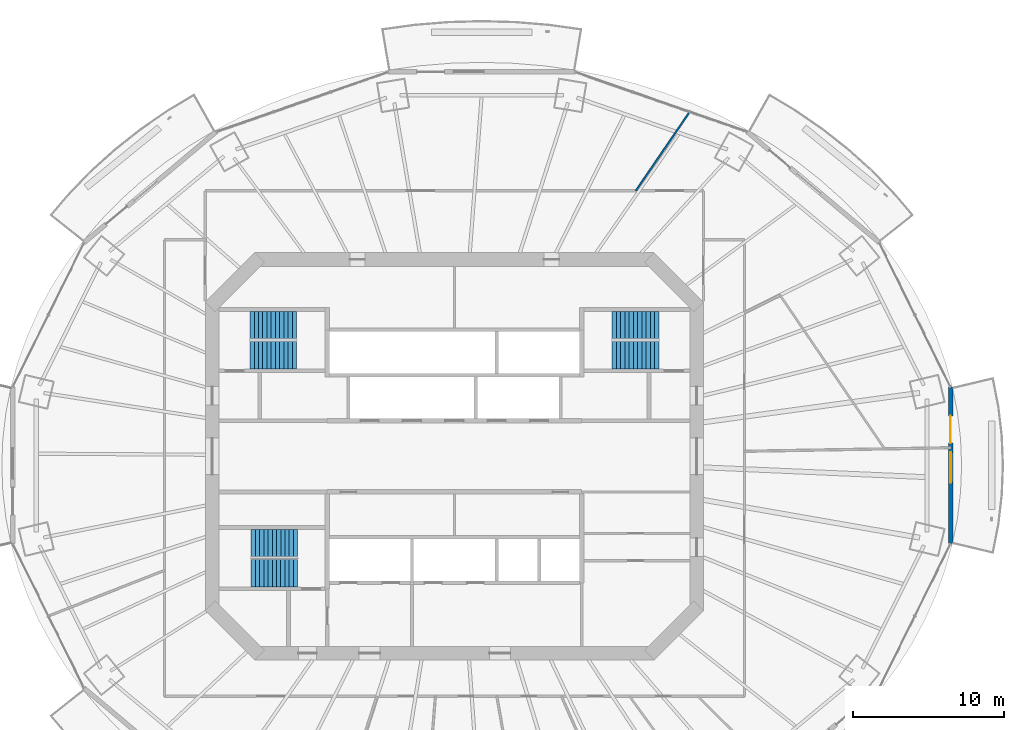
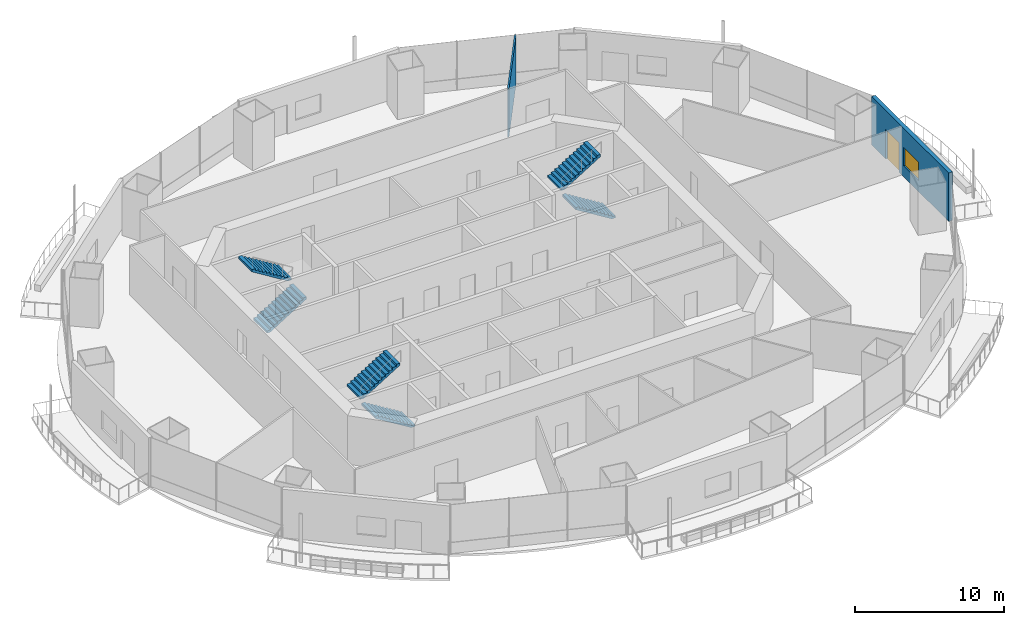
# One storey, part 15 of 21: 6 stair flights, 2 walls, 1 door, 1 window, 2 openings, 3 elements without a shape of their own.
"""IFC4 building model written with IfcOpenShell, lengths in metres."""

import ifcopenshell
import ifcopenshell.guid

model = None  # the IFC model being written
_history = None  # IfcOwnerHistory: only IFC2X3 demands one
_inside = {}  # id of a spatial element -> (the spatial element, [elements in it])
_under = {}  # id of a project, library or spatial element -> (it, [spatial elements below it])
_declared = {}  # id of a project -> (the project, [libraries it declares])
_typed = {}  # id of a type object -> (the type object, [elements of that type])
_made_of = {}  # id of a material, layer set ... -> (it, [elements and type objects made of it])


def new_model(schema):
    """Start an empty IFC model of exactly this schema.

    Asked for "IFC4X3", IfcOpenShell would pick the latest addendum, in which some entities
    have other attributes; the version numbers below select the first issue.
    IFC2X3 requires an IfcOwnerHistory on every rooted entity: one is made here for all.
    """
    global model, _history
    if schema == "IFC4X3":
        model = ifcopenshell.file(schema_version=(4, 3, 0, 0))
    else:
        model = ifcopenshell.file(schema=schema)
    _inside.clear()
    _under.clear()
    _declared.clear()
    _typed.clear()
    _made_of.clear()
    _history = None
    if model.schema == "IFC2X3":
        org = make("IfcOrganization", Name="unknown")
        user = make(
            "IfcPersonAndOrganization",
            ThePerson=make("IfcPerson", FamilyName="unknown"),
            TheOrganization=org,
        )
        app = make(
            "IfcApplication",
            ApplicationDeveloper=org,
            Version="unknown",
            ApplicationFullName="unknown",
            ApplicationIdentifier="unknown",
        )
        _history = make(
            "IfcOwnerHistory",
            OwningUser=user,
            OwningApplication=app,
            ChangeAction="ADDED",
            CreationDate=0,
        )
    return model


def make(cls, **values):
    """One entity of the class cls with the attributes given. An attribute that is None is left unset."""
    return model.create_entity(
        cls, **{name: value for name, value in values.items() if value is not None}
    )


def rooted(cls, **values):
    """An entity with a GlobalId (a new one), such as an element, a storey or a relation."""
    return make(cls, GlobalId=ifcopenshell.guid.new(), OwnerHistory=_history, **values)


def si_unit(unit_type, name, prefix=None):
    """IfcSIUnit, for example si_unit("LENGTHUNIT", "METRE", prefix="MILLI")."""
    return make("IfcSIUnit", UnitType=unit_type, Prefix=prefix, Name=name)


def assignment(units):
    """IfcUnitAssignment: the units of a project."""
    return None if units is None else make("IfcUnitAssignment", Units=units)


def point(xyz):
    """IfcCartesianPoint."""
    return None if xyz is None else make("IfcCartesianPoint", Coordinates=xyz)


def direction(xyz):
    """IfcDirection."""
    return None if xyz is None else make("IfcDirection", DirectionRatios=xyz)


def frame(location, z_axis=None, x_axis=None):
    """IfcAxis2Placement3D, a coordinate frame: its origin and axes. An axis left out is left unset."""
    return make(
        "IfcAxis2Placement3D",
        Location=point(location),
        Axis=direction(z_axis),
        RefDirection=direction(x_axis),
    )


def frame_2d(location, x_axis=None):
    """IfcAxis2Placement2D, a coordinate frame in the plane: its origin and x axis."""
    return make(
        "IfcAxis2Placement2D", Location=point(location), RefDirection=direction(x_axis)
    )


def origin():
    """The frame at (0, 0, 0) with its axes left unset."""
    return frame((0.0, 0.0, 0.0))


def place(relative_to, where):
    """IfcLocalPlacement: puts the frame where relative to a parent placement (None: the world)."""
    return make(
        "IfcLocalPlacement", PlacementRelTo=relative_to, RelativePlacement=where
    )


def context(
    kind, dimensions, precision=None, world=None, true_north=None, identifier=None
):
    """IfcGeometricRepresentationContext, for example the 3D "Model" context."""
    return make(
        "IfcGeometricRepresentationContext",
        ContextIdentifier=identifier,
        ContextType=kind,
        CoordinateSpaceDimension=dimensions,
        Precision=precision,
        WorldCoordinateSystem=world,
        TrueNorth=true_north,
    )


def subcontext(parent, identifier, kind, view, scale=None):
    """IfcGeometricRepresentationSubContext, for example "Body" below "Model"."""
    return make(
        "IfcGeometricRepresentationSubContext",
        ContextIdentifier=identifier,
        ContextType=kind,
        ParentContext=parent,
        TargetScale=scale,
        TargetView=view,
    )


def project(units=None, contexts=None):
    """IfcProject with its units and contexts."""
    return rooted(
        "IfcProject",
        Name="project",
        RepresentationContexts=contexts,
        UnitsInContext=assignment(units),
    )


def spatial(cls, under=None, at=None, **own):
    """A site, building, storey or space (cls), placed at a placement, below another one or the project."""
    s = rooted(cls, ObjectPlacement=at, **own)
    if under is not None:
        _under.setdefault(under.id(), (under, []))[1].append(s)
    return s


def polyline(points):
    """IfcPolyline through the points."""
    return make("IfcPolyline", Points=[point(p) for p in points])


def profile(cls, at=None, kind="AREA", **sizes):
    """A parametric profile (cls). Its sizes go by their IFC names, for example OverallWidth=200.0."""
    return make(cls, ProfileType=kind, Position=at, **sizes)


def rectangle(**sizes):
    """IfcRectangleProfileDef."""
    return profile("IfcRectangleProfileDef", **sizes)


def outline(outer, holes=None, kind="AREA"):
    """IfcArbitraryClosedProfileDef: a profile drawn as a closed curve; with holes, ...WithVoids."""
    if holes is None:
        return make("IfcArbitraryClosedProfileDef", ProfileType=kind, OuterCurve=outer)
    return make(
        "IfcArbitraryProfileDefWithVoids",
        ProfileType=kind,
        OuterCurve=outer,
        InnerCurves=holes,
    )


def extrude(swept, where, along, depth):
    """IfcExtrudedAreaSolid: the profile swept, set in the frame where, extruded along a direction by depth."""
    return make(
        "IfcExtrudedAreaSolid",
        SweptArea=swept,
        Position=where,
        ExtrudedDirection=direction(along),
        Depth=depth,
    )


def shape(context_of_items, identifier, shape_type, items):
    """IfcShapeRepresentation: the items that make up one representation, for example the "Body"."""
    return make(
        "IfcShapeRepresentation",
        ContextOfItems=context_of_items,
        RepresentationIdentifier=identifier,
        RepresentationType=shape_type,
        Items=items,
    )


def material(Name=None, Category=None):
    """IfcMaterial."""
    return make("IfcMaterial", Name=Name, Category=Category)


def layer(
    of_material, thickness, ventilated=None, Name=None, Category=None, Priority=None
):
    """IfcMaterialLayer: one layer of a wall or slab, of a material (None: an air gap)."""
    return make(
        "IfcMaterialLayer",
        Material=of_material,
        LayerThickness=thickness,
        IsVentilated=ventilated,
        Name=Name,
        Category=Category,
        Priority=Priority,
    )


def layer_set(layers, Name=None):
    """IfcMaterialLayerSet."""
    return make("IfcMaterialLayerSet", MaterialLayers=layers, LayerSetName=Name)


def made_of(thing, what):
    """Note that an element or type object is made of a material, layer set ...; save() writes the relation."""
    if what is not None:
        _made_of.setdefault(what.id(), (what, []))[1].append(thing)
    return thing


def type_object(cls, material=None, **own):
    """A type object (cls), such as IfcWallType, which elements share."""
    return made_of(rooted(cls, **own), material)


def element(
    cls,
    number,
    at=None,
    inside=None,
    cuts=None,
    type_object=None,
    material=None,
    context=None,
    identifier="Body",
    shape_type=None,
    held_by="IfcProductDefinitionShape",
    body=None,
    shapes=None,
    **own,
):
    """One element of the class cls, such as IfcWall. Its Tag is "e" and its number.

    at: its placement. inside: the storey or other place that contains it. cuts: it is an
    opening in that element (IfcRelVoidsElement). A single representation is given by context,
    identifier, shape_type and body (its items); several are given by shapes. held_by: the class
    of the entity that holds the representations. save() writes the other relations.
    """
    e = rooted(cls, Tag="e%d" % number, ObjectPlacement=at, **own)
    if body is not None:
        shapes = [shape(context, identifier, shape_type, body)]
    if shapes is not None:
        e.Representation = make(held_by, Representations=shapes)
    if inside is not None:
        _inside.setdefault(inside.id(), (inside, []))[1].append(e)
    if cuts is not None:
        rooted(
            "IfcRelVoidsElement", RelatingBuildingElement=cuts, RelatedOpeningElement=e
        )
    if type_object is not None:
        _typed.setdefault(type_object.id(), (type_object, []))[1].append(e)
    return made_of(e, material)


def fill(opening, filler):
    """IfcRelFillsElement: the door or window that sits in an opening."""
    return rooted(
        "IfcRelFillsElement",
        RelatingOpeningElement=opening,
        RelatedBuildingElement=filler,
    )


def aggregate(whole, parts):
    """IfcRelAggregates: a whole, such as a stair, and the parts it consists of."""
    return rooted("IfcRelAggregates", RelatingObject=whole, RelatedObjects=parts)


def save(model, path):
    """Write the relations noted so far, then the file.

    IfcRelAggregates (storeys below a building ...), IfcRelContainedInSpatialStructure (elements
    in a storey), IfcRelDefinesByType, IfcRelAssociatesMaterial and IfcRelDeclares: one each for
    every whole, place, type object, material and project.
    """
    for whole, parts in _under.values():
        aggregate(whole, parts)
    for where, things in _inside.values():
        rooted(
            "IfcRelContainedInSpatialStructure",
            RelatedElements=things,
            RelatingStructure=where,
        )
    for kind, things in _typed.values():
        rooted("IfcRelDefinesByType", RelatedObjects=things, RelatingType=kind)
    for what, things in _made_of.values():
        rooted("IfcRelAssociatesMaterial", RelatedObjects=things, RelatingMaterial=what)
    for by, libraries in _declared.values():
        rooted("IfcRelDeclares", RelatingContext=by, RelatedDefinitions=libraries)
    model.write(path)


model = new_model("IFC4")

# Units and contexts
model_context = context("Model", 3, precision=1e-05, world=origin(), true_north=direction((0.0, 1.0)))
body_context = subcontext(model_context, "Body", "Model", "MODEL_VIEW")
ifc_project = project(units=[si_unit("LENGTHUNIT", "METRE"), si_unit("AREAUNIT", "SQUARE_METRE"), si_unit("VOLUMEUNIT", "CUBIC_METRE"), si_unit("PLANEANGLEUNIT", "RADIAN"), si_unit("MASSUNIT", "GRAM", prefix="KILO")], contexts=[model_context])

# Site, building, storey
site_placement = place(None, origin())
site = spatial("IfcSite", under=ifc_project, at=site_placement, CompositionType="ELEMENT")
building_placement = place(site_placement, origin())
building = spatial("IfcBuilding", under=site, at=building_placement, Name="Marenthal Gate Tower", CompositionType="ELEMENT")
storey_placement = place(building_placement, frame((0.0, 0.0, 202.550048828125)))
storey = spatial("IfcBuildingStorey", under=building, at=storey_placement, Name="L44", CompositionType="ELEMENT", Elevation=202.550048828125)

# Wall
ifc_material_1 = material(Name="Gypsum board on steel studs", Category="steel")
ifc_layer_1 = layer(ifc_material_1, 0.1201171875)
ifc_layer_set_1 = layer_set([ifc_layer_1], Name="Partition 120")
wall_type_1 = type_object("IfcWallType", Name="Partition 120", PredefinedType="PARTITIONING", material=ifc_layer_set_1)
wall_1_placement = place(storey_placement, frame((11.974365234375, 17.534423828125, 0.0), z_axis=(0.0, 0.0, 1.0), x_axis=(0.563957789677, 0.825803615554, 0.0)))
element("IfcWall", 1, at=wall_1_placement, inside=storey, type_object=wall_type_1, Name="Partition wall 59", PredefinedType="PARTITIONING", context=body_context, shape_type="SweptSolid", body=[
    extrude(rectangle(XDim=6.31787109375, YDim=0.1201171875, at=frame_2d((3.158935546875, 0.0))), origin(), (0.0, 0.0, 1.0), 3.969970703125),
])

# Wall, openings, door, window
ifc_material_2 = material(Name="Terracotta cladding on insulated concrete-block backing", Category="masonry")
ifc_layer_2 = layer(ifc_material_2, 0.300048828125)
ifc_layer_set_2 = layer_set([ifc_layer_2], Name="Terracotta facade wall 300")
wall_type_2 = type_object("IfcWallType", Name="Terracotta facade wall 300", PredefinedType="SOLIDWALL", material=ifc_layer_set_2)
wall_2_placement = place(storey_placement, frame((32.765380859375, -5.768798828125, 0.0), z_axis=(0.0, 0.0, 1.0), x_axis=(0.0, 1.0, 0.0)))
wall_2 = element("IfcWall", 2, at=wall_2_placement, inside=storey, type_object=wall_type_2, Name="Terracotta facade wall L44 bay 16", PredefinedType="SOLIDWALL", context=body_context, shape_type="SweptSolid", body=[
    extrude(rectangle(XDim=10.337646484375, YDim=0.300048828125, at=frame_2d((5.1689453125, 0.0))), origin(), (0.0, 0.0, 1.0), 3.969970703125),
])
opening_1_placement = place(wall_2_placement, frame((6.6376953125, 0.0, 0.0)))
opening_1 = element("IfcOpeningElement", 3, at=opening_1_placement, cuts=wall_2, Name="Opening BD-L44-16", PredefinedType="OPENING", context=body_context, shape_type="SweptSolid", body=[
    extrude(rectangle(XDim=1.800048828125, YDim=2.39990234375, at=frame_2d((0.89990234375, 1.199951171875))), frame((0.0, 0.16015625, 0.0), z_axis=(0.0, -1.0, 0.0), x_axis=(1.0, 0.0, 0.0)), (0.0, 0.0, 1.0), 0.320068359375),
])
opening_2_placement = place(wall_2_placement, frame((4.037841796875, 0.0, 0.89990234375)))
opening_2 = element("IfcOpeningElement", 4, at=opening_2_placement, cuts=wall_2, Name="Opening WN2-L44-16", PredefinedType="OPENING", context=body_context, shape_type="SweptSolid", body=[
    extrude(rectangle(XDim=2.0, YDim=1.5, at=frame_2d((1.0, 0.75))), frame((0.0, 0.16015625, 0.0), z_axis=(0.0, -1.0, 0.0), x_axis=(1.0, 0.0, 0.0)), (0.0, 0.0, 1.0), 0.320068359375),
])
ifc_material_3 = material(Name="Aluminium and glass", Category="aluminium")
door_type = type_object("IfcDoorType", Name="Balcony door 1800x2400", OperationType="DOUBLE_DOOR_SINGLE_SWING", PredefinedType="DOOR", material=ifc_material_3)
door_placement = place(opening_1_placement, origin())
door = element("IfcDoor", 5, at=door_placement, inside=storey, type_object=door_type, Name="Balcony door L44 bay 16", OperationType="SINGLE_SWING_LEFT", OverallHeight=2.39990234375, OverallWidth=1.800048828125, PredefinedType="DOOR", context=body_context, shape_type="SweptSolid", body=[
    extrude(rectangle(XDim=1.800048828125, YDim=2.39990234375, at=frame_2d((0.89990234375, 1.199951171875))), frame((0.0, 0.02490234375, 0.0), z_axis=(0.0, -1.0, 0.0), x_axis=(1.0, 0.0, 0.0)), (0.0, 0.0, 1.0), 0.050048828125),
])
fill(opening_1, door)
ifc_material_4 = material(Name="Aluminium and glass", Category="aluminium")
window_type = type_object("IfcWindowType", Name="Window 2000x1500", PartitioningType="DOUBLE_PANEL_VERTICAL", PredefinedType="WINDOW", material=ifc_material_4)
window_placement = place(opening_2_placement, origin())
window = element("IfcWindow", 6, at=window_placement, inside=storey, type_object=window_type, Name="Window L44 bay 16", OverallHeight=1.5, OverallWidth=2.0, PartitioningType="SINGLE_PANEL", PredefinedType="WINDOW", context=body_context, shape_type="SweptSolid", body=[
    extrude(rectangle(XDim=2.0, YDim=1.5, at=frame_2d((1.0, 0.75))), frame((0.0, 0.030029296875, 0.0), z_axis=(0.0, -1.0, 0.0), x_axis=(1.0, 0.0, 0.0)), (0.0, 0.0, 1.0), 0.06005859375),
])
fill(opening_2, window)

# Stair, stair flights
ifc_material_5 = material(Name="Concrete 40 MPa", Category="concrete")
stair_type = type_object("IfcStairType", Name="Exit stair 1800", PredefinedType="HALF_TURN_STAIR", material=ifc_material_5)
stair_1_placement = place(storey_placement, origin())
stair_1 = element("IfcStair", 7, at=stair_1_placement, inside=storey, type_object=stair_type, Name="Stair ST1", PredefinedType="HALF_TURN_STAIR")
ifc_material_6 = material(Name="Concrete 40 MPa", Category="concrete")
stair_flight_type = type_object("IfcStairFlightType", Name="Stair flight 1800", PredefinedType="STRAIGHT", material=ifc_material_6)
stair_flight_1_placement = place(storey_placement, frame((-13.5, 6.675048828125, 0.0), z_axis=(0.0, 0.0, 1.0), x_axis=(1.0, 0.0, 0.0)))
stair_flight_1 = element("IfcStairFlight", 8, at=stair_flight_1_placement, type_object=stair_flight_type, Name="ST1 flight 1", NumberOfRisers=12, NumberOfTreads=11, PredefinedType="STRAIGHT", RiserHeight=0.172916667, TreadLength=0.28, context=body_context, shape_type="SweptSolid", body=[
    extrude(outline(polyline([(0.0, 0.0), (0.0, 0.1728515625), (0.280029296875, 0.1728515625), (0.280029296875, 0.345947265625), (0.56005859375, 0.345947265625), (0.56005859375, 0.518798828125), (0.840087890625, 0.518798828125), (0.840087890625, 0.691650390625), (1.1201171875, 0.691650390625), (1.1201171875, 0.864501953125), (1.39990234375, 0.864501953125), (1.39990234375, 1.03759765625), (1.679931640625, 1.03759765625), (1.679931640625, 1.21044921875), (1.9599609375, 1.21044921875), (1.9599609375, 1.38330078125), (2.239990234375, 1.38330078125), (2.239990234375, 1.55615234375), (2.52001953125, 1.55615234375), (2.52001953125, 1.729248046875), (2.800048828125, 1.729248046875), (2.800048828125, 1.902099609375), (3.080078125, 1.902099609375), (3.080078125, 2.074951171875), (3.080078125, 1.725830078125), (0.285400390625, 0.0), (0.0, 0.0)])), frame((0.0, 0.89990234375, 0.0), z_axis=(0.0, -1.0, 0.0), x_axis=(1.0, 0.0, 0.0)), (0.0, 0.0, 1.0), 1.800048828125),
])
stair_flight_2_placement = place(storey_placement, frame((-10.419921875, 8.675048828125, 2.074951171875), z_axis=(0.0, 0.0, 1.0), x_axis=(-1.0, 0.0, 0.0)))
stair_flight_2 = element("IfcStairFlight", 9, at=stair_flight_2_placement, type_object=stair_flight_type, Name="ST1 flight 2", NumberOfRisers=12, NumberOfTreads=11, PredefinedType="STRAIGHT", RiserHeight=0.172916667, TreadLength=0.28, context=body_context, shape_type="SweptSolid", body=[
    extrude(outline(polyline([(0.0, 0.0), (0.0, 0.1728515625), (0.280029296875, 0.1728515625), (0.280029296875, 0.345947265625), (0.56005859375, 0.345947265625), (0.56005859375, 0.518798828125), (0.840087890625, 0.518798828125), (0.840087890625, 0.691650390625), (1.1201171875, 0.691650390625), (1.1201171875, 0.864501953125), (1.39990234375, 0.864501953125), (1.39990234375, 1.03759765625), (1.679931640625, 1.03759765625), (1.679931640625, 1.21044921875), (1.9599609375, 1.21044921875), (1.9599609375, 1.38330078125), (2.239990234375, 1.38330078125), (2.239990234375, 1.55615234375), (2.52001953125, 1.55615234375), (2.52001953125, 1.729248046875), (2.800048828125, 1.729248046875), (2.800048828125, 1.902099609375), (3.080078125, 1.902099609375), (3.080078125, 2.074951171875), (3.080078125, 1.725830078125), (0.285400390625, 0.0), (0.0, 0.0)])), frame((0.0, 0.89990234375, 0.0), z_axis=(0.0, -1.0, 0.0), x_axis=(1.0, 0.0, 0.0)), (0.0, 0.0, 1.0), 1.800048828125),
])
aggregate(stair_1, [stair_flight_1, stair_flight_2])

stair_2_placement = place(storey_placement, origin())
stair_2 = element("IfcStair", 10, at=stair_2_placement, inside=storey, type_object=stair_type, Name="Stair ST2", PredefinedType="HALF_TURN_STAIR")
stair_flight_3_placement = place(storey_placement, frame((-10.35009765625, -7.72509765625, 0.0), z_axis=(0.0, 0.0, 1.0), x_axis=(-1.0, 0.0, 0.0)))
stair_flight_3 = element("IfcStairFlight", 11, at=stair_flight_3_placement, type_object=stair_flight_type, Name="ST2 flight 1", NumberOfRisers=12, NumberOfTreads=11, PredefinedType="STRAIGHT", RiserHeight=0.172916667, TreadLength=0.28, context=body_context, shape_type="SweptSolid", body=[
    extrude(outline(polyline([(0.0, 0.0), (0.0, 0.1728515625), (0.280029296875, 0.1728515625), (0.280029296875, 0.345947265625), (0.56005859375, 0.345947265625), (0.56005859375, 0.518798828125), (0.840087890625, 0.518798828125), (0.840087890625, 0.691650390625), (1.1201171875, 0.691650390625), (1.1201171875, 0.864501953125), (1.39990234375, 0.864501953125), (1.39990234375, 1.03759765625), (1.679931640625, 1.03759765625), (1.679931640625, 1.21044921875), (1.9599609375, 1.21044921875), (1.9599609375, 1.38330078125), (2.239990234375, 1.38330078125), (2.239990234375, 1.55615234375), (2.52001953125, 1.55615234375), (2.52001953125, 1.729248046875), (2.800048828125, 1.729248046875), (2.800048828125, 1.902099609375), (3.080078125, 1.902099609375), (3.080078125, 2.074951171875), (3.080078125, 1.725830078125), (0.285400390625, 0.0), (0.0, 0.0)])), frame((0.0, 0.89990234375, 0.0), z_axis=(0.0, -1.0, 0.0), x_axis=(1.0, 0.0, 0.0)), (0.0, 0.0, 1.0), 1.800048828125),
])
stair_flight_4_placement = place(storey_placement, frame((-13.429931640625, -5.72509765625, 2.074951171875), z_axis=(0.0, 0.0, 1.0), x_axis=(1.0, 0.0, 0.0)))
stair_flight_4 = element("IfcStairFlight", 12, at=stair_flight_4_placement, type_object=stair_flight_type, Name="ST2 flight 2", NumberOfRisers=12, NumberOfTreads=11, PredefinedType="STRAIGHT", RiserHeight=0.172916667, TreadLength=0.28, context=body_context, shape_type="SweptSolid", body=[
    extrude(outline(polyline([(0.0, 0.0), (0.0, 0.1728515625), (0.280029296875, 0.1728515625), (0.280029296875, 0.345947265625), (0.56005859375, 0.345947265625), (0.56005859375, 0.518798828125), (0.840087890625, 0.518798828125), (0.840087890625, 0.691650390625), (1.1201171875, 0.691650390625), (1.1201171875, 0.864501953125), (1.39990234375, 0.864501953125), (1.39990234375, 1.03759765625), (1.679931640625, 1.03759765625), (1.679931640625, 1.21044921875), (1.9599609375, 1.21044921875), (1.9599609375, 1.38330078125), (2.239990234375, 1.38330078125), (2.239990234375, 1.55615234375), (2.52001953125, 1.55615234375), (2.52001953125, 1.729248046875), (2.800048828125, 1.729248046875), (2.800048828125, 1.902099609375), (3.080078125, 1.902099609375), (3.080078125, 2.074951171875), (3.080078125, 1.725830078125), (0.285400390625, 0.0), (0.0, 0.0)])), frame((0.0, 0.89990234375, 0.0), z_axis=(0.0, -1.0, 0.0), x_axis=(1.0, 0.0, 0.0)), (0.0, 0.0, 1.0), 1.800048828125),
])
aggregate(stair_2, [stair_flight_3, stair_flight_4])

stair_3_placement = place(storey_placement, origin())
stair_3 = element("IfcStair", 13, at=stair_3_placement, inside=storey, type_object=stair_type, Name="Stair ST3", PredefinedType="HALF_TURN_STAIR")
stair_flight_5_placement = place(storey_placement, frame((13.5, 6.675048828125, 0.0), z_axis=(0.0, 0.0, 1.0), x_axis=(-1.0, 0.0, 0.0)))
stair_flight_5 = element("IfcStairFlight", 14, at=stair_flight_5_placement, type_object=stair_flight_type, Name="ST3 flight 1", NumberOfRisers=12, NumberOfTreads=11, PredefinedType="STRAIGHT", RiserHeight=0.172916667, TreadLength=0.28, context=body_context, shape_type="SweptSolid", body=[
    extrude(outline(polyline([(0.0, 0.0), (0.0, 0.1728515625), (0.280029296875, 0.1728515625), (0.280029296875, 0.345947265625), (0.56005859375, 0.345947265625), (0.56005859375, 0.518798828125), (0.840087890625, 0.518798828125), (0.840087890625, 0.691650390625), (1.1201171875, 0.691650390625), (1.1201171875, 0.864501953125), (1.39990234375, 0.864501953125), (1.39990234375, 1.03759765625), (1.679931640625, 1.03759765625), (1.679931640625, 1.21044921875), (1.9599609375, 1.21044921875), (1.9599609375, 1.38330078125), (2.239990234375, 1.38330078125), (2.239990234375, 1.55615234375), (2.52001953125, 1.55615234375), (2.52001953125, 1.729248046875), (2.800048828125, 1.729248046875), (2.800048828125, 1.902099609375), (3.080078125, 1.902099609375), (3.080078125, 2.074951171875), (3.080078125, 1.725830078125), (0.285400390625, 0.0), (0.0, 0.0)])), frame((0.0, 0.89990234375, 0.0), z_axis=(0.0, -1.0, 0.0), x_axis=(1.0, 0.0, 0.0)), (0.0, 0.0, 1.0), 1.800048828125),
])
stair_flight_6_placement = place(storey_placement, frame((10.419921875, 8.675048828125, 2.074951171875), z_axis=(0.0, 0.0, 1.0), x_axis=(1.0, 0.0, 0.0)))
stair_flight_6 = element("IfcStairFlight", 15, at=stair_flight_6_placement, type_object=stair_flight_type, Name="ST3 flight 2", NumberOfRisers=12, NumberOfTreads=11, PredefinedType="STRAIGHT", RiserHeight=0.172916667, TreadLength=0.28, context=body_context, shape_type="SweptSolid", body=[
    extrude(outline(polyline([(0.0, 0.0), (0.0, 0.1728515625), (0.280029296875, 0.1728515625), (0.280029296875, 0.345947265625), (0.56005859375, 0.345947265625), (0.56005859375, 0.518798828125), (0.840087890625, 0.518798828125), (0.840087890625, 0.691650390625), (1.1201171875, 0.691650390625), (1.1201171875, 0.864501953125), (1.39990234375, 0.864501953125), (1.39990234375, 1.03759765625), (1.679931640625, 1.03759765625), (1.679931640625, 1.21044921875), (1.9599609375, 1.21044921875), (1.9599609375, 1.38330078125), (2.239990234375, 1.38330078125), (2.239990234375, 1.55615234375), (2.52001953125, 1.55615234375), (2.52001953125, 1.729248046875), (2.800048828125, 1.729248046875), (2.800048828125, 1.902099609375), (3.080078125, 1.902099609375), (3.080078125, 2.074951171875), (3.080078125, 1.725830078125), (0.285400390625, 0.0), (0.0, 0.0)])), frame((0.0, 0.89990234375, 0.0), z_axis=(0.0, -1.0, 0.0), x_axis=(1.0, 0.0, 0.0)), (0.0, 0.0, 1.0), 1.800048828125),
])
aggregate(stair_3, [stair_flight_5, stair_flight_6])

save(model, "model.ifc")
